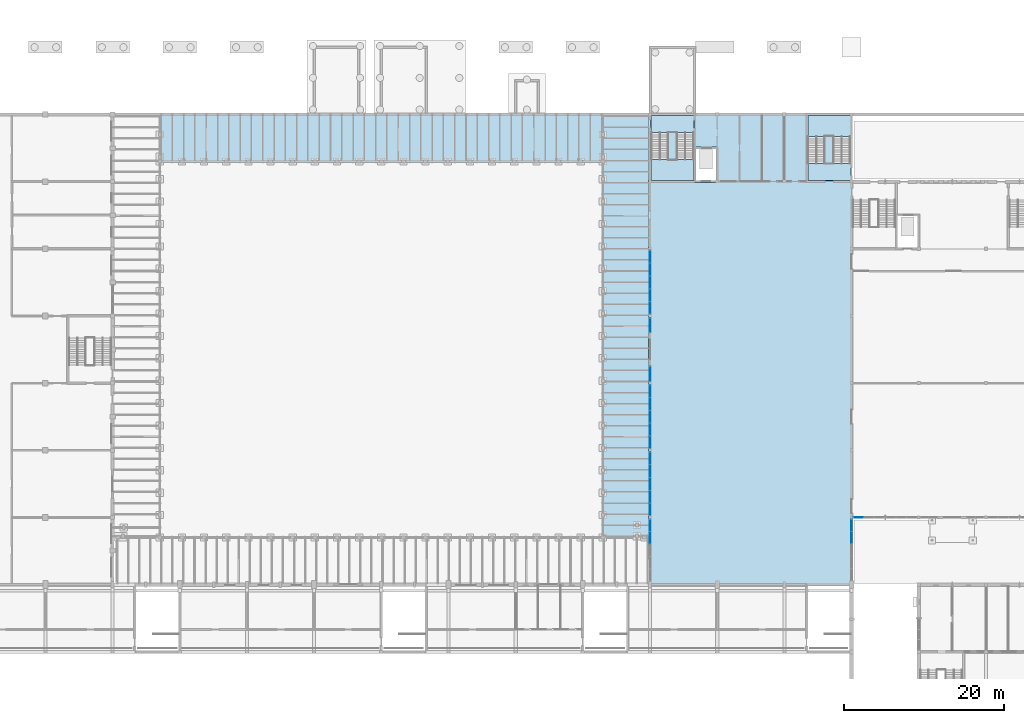
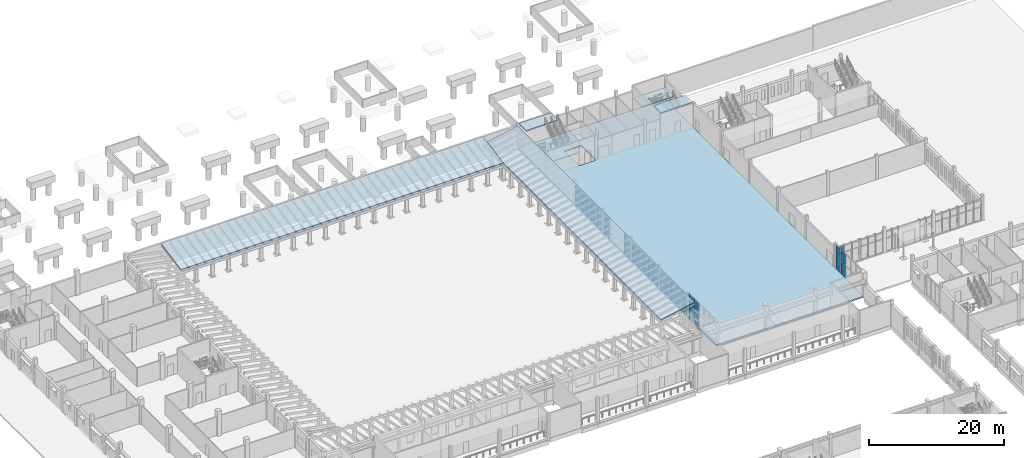
# One storey, part 29 of 60: 44 plates, 7 slabs, 10 elements without a shape of their own.
"""IFC4 building model written with IfcOpenShell, lengths in metres."""

from ifc_helpers import new_model, si_unit, direction, frame, origin, origin_2d, place, context, subcontext, project, spatial, polyline, rectangle, outline, extrude, material, layer, layer_set, type_object, element, aggregate, save


model = new_model("IFC4")

# Units and contexts
model_context = context("Model", 3, precision=1e-05, world=origin(), true_north=direction((0.0, 1.0)))
body_context = subcontext(model_context, "Body", "Model", "MODEL_VIEW")
ifc_project = project(units=[si_unit("LENGTHUNIT", "METRE"), si_unit("AREAUNIT", "SQUARE_METRE"), si_unit("VOLUMEUNIT", "CUBIC_METRE"), si_unit("PLANEANGLEUNIT", "RADIAN"), si_unit("MASSUNIT", "GRAM", prefix="KILO")], contexts=[model_context])

# Site, building, storey
site_placement = place(None, origin())
site = spatial("IfcSite", under=ifc_project, at=site_placement, CompositionType="ELEMENT")
building_placement = place(site_placement, origin())
building = spatial("IfcBuilding", under=site, at=building_placement, Name="Fescue Hill Polytechnic", CompositionType="ELEMENT")
storey_placement = place(building_placement, frame((0.0, 0.0, 4.5)))
storey = spatial("IfcBuildingStorey", under=building, at=storey_placement, Name="L01", CompositionType="ELEMENT", Elevation=4.5)

# Slab
ifc_material_1 = material(Name="Concrete 35 MPa", Category="concrete")
ifc_layer_1 = layer(ifc_material_1, 0.25)
ifc_layer_set_1 = layer_set([ifc_layer_1], Name="Concrete 35 MPa")
slab_type_1 = type_object("IfcSlabType", Name="Base slab 250", PredefinedType="BASESLAB", material=ifc_layer_set_1)
slab_1_placement = place(storey_placement, frame((0.0, 0.0, -0.25)))
element("IfcSlab", 1, at=slab_1_placement, inside=storey, type_object=slab_type_1, Name="SL-L01-V6-1", PredefinedType="BASESLAB", context=body_context, shape_type="SweptSolid", body=[
    extrude(outline(polyline([(92.39990234375, 50.39990234375), (92.39990234375, 109.199951171875), (117.60009765625, 109.199951171875), (117.60009765625, 50.39990234375), (92.39990234375, 50.39990234375)]), holes=[polyline([(100.89990234375, 105.10009765625), (97.89990234375, 105.10009765625), (97.89990234375, 100.699951171875), (100.89990234375, 100.699951171875), (100.89990234375, 105.10009765625)])]), origin(), (0.0, 0.0, 1.0), 0.25),
])

# Curtain wall, plates
ifc_material_2 = material(Name="Glass", Category="glass")
curtain_wall_type = type_object("IfcCurtainWallType", Name="Curtain wall structural glazing", PredefinedType="NOTDEFINED", material=ifc_material_2)
curtain_wall_1_placement = place(storey_placement, origin())
curtain_wall_1 = element("IfcCurtainWall", 2, at=curtain_wall_1_placement, inside=storey, type_object=curtain_wall_type, Name="CW-L01-V2-1", PredefinedType="NOTDEFINED")
ifc_layer_2 = layer(ifc_material_2, 0.028076171875)
ifc_layer_set_2 = layer_set([ifc_layer_2], Name="Glass")
plate_type = type_object("IfcPlateType", Name="Panel glazing 28", PredefinedType="CURTAIN_PANEL", material=ifc_layer_set_2)
plate_1_placement = place(storey_placement, frame((118.4716796875, 58.800048828125, 0.06005859375), z_axis=(0.0, 0.0, 1.0), x_axis=(1.0, 0.0, 0.0)))
plate_1 = element("IfcPlate", 3, at=plate_1_placement, type_object=plate_type, Name="CW41 panel 1.1", PredefinedType="CURTAIN_PANEL", context=body_context, shape_type="SweptSolid", body=[
    extrude(rectangle(XDim=1.223388671875, YDim=0.028076171875, at=origin_2d()), origin(), (0.0, 0.0, 1.0), 2.31005859375),
])
plate_2_placement = place(storey_placement, frame((118.4716796875, 58.800048828125, 2.43017578125), z_axis=(0.0, 0.0, 1.0), x_axis=(1.0, 0.0, 0.0)))
plate_2 = element("IfcPlate", 4, at=plate_2_placement, type_object=plate_type, Name="CW41 panel 1.2", PredefinedType="CURTAIN_PANEL", context=body_context, shape_type="SweptSolid", body=[
    extrude(rectangle(XDim=1.223388671875, YDim=0.028076171875, at=origin_2d()), origin(), (0.0, 0.0, 1.0), 1.139892578125),
])
aggregate(curtain_wall_1, [plate_1, plate_2])

curtain_wall_2_placement = place(storey_placement, origin())
curtain_wall_2 = element("IfcCurtainWall", 5, at=curtain_wall_2_placement, inside=storey, type_object=curtain_wall_type, Name="CW-L01-V6-1", PredefinedType="NOTDEFINED")
plate_3_placement = place(storey_placement, frame((117.60009765625, 56.2900390625, 0.06005859375), z_axis=(0.0, 0.0, 1.0), x_axis=(0.0, 1.0, 0.0)))
plate_3 = element("IfcPlate", 6, at=plate_3_placement, type_object=plate_type, Name="CW47 panel 4.1", PredefinedType="CURTAIN_PANEL", context=body_context, shape_type="SweptSolid", body=[
    extrude(rectangle(XDim=1.47998046875, YDim=0.028076171875, at=origin_2d()), origin(), (0.0, 0.0, 1.0), 2.31005859375),
])
plate_4_placement = place(storey_placement, frame((117.60009765625, 56.2900390625, 2.43017578125), z_axis=(0.0, 0.0, 1.0), x_axis=(0.0, 1.0, 0.0)))
plate_4 = element("IfcPlate", 7, at=plate_4_placement, type_object=plate_type, Name="CW47 panel 4.2", PredefinedType="CURTAIN_PANEL", context=body_context, shape_type="SweptSolid", body=[
    extrude(rectangle(XDim=1.47998046875, YDim=0.028076171875, at=origin_2d()), origin(), (0.0, 0.0, 1.0), 1.989990234375),
])
plate_5_placement = place(storey_placement, frame((117.60009765625, 57.81494140625, 0.06005859375), z_axis=(0.0, 0.0, 1.0), x_axis=(0.0, 1.0, 0.0)))
plate_5 = element("IfcPlate", 8, at=plate_5_placement, type_object=plate_type, Name="CW47 panel 5.1", PredefinedType="CURTAIN_PANEL", context=body_context, shape_type="SweptSolid", body=[
    extrude(rectangle(XDim=1.449951171875, YDim=0.028076171875, at=origin_2d()), origin(), (0.0, 0.0, 1.0), 2.31005859375),
])
plate_6_placement = place(storey_placement, frame((117.60009765625, 57.81494140625, 2.43017578125), z_axis=(0.0, 0.0, 1.0), x_axis=(0.0, 1.0, 0.0)))
plate_6 = element("IfcPlate", 9, at=plate_6_placement, type_object=plate_type, Name="CW47 panel 5.2", PredefinedType="CURTAIN_PANEL", context=body_context, shape_type="SweptSolid", body=[
    extrude(rectangle(XDim=1.449951171875, YDim=0.028076171875, at=origin_2d()), origin(), (0.0, 0.0, 1.0), 1.989990234375),
])
aggregate(curtain_wall_2, [plate_3, plate_4, plate_5, plate_6])

curtain_wall_3_placement = place(storey_placement, origin())
curtain_wall_3 = element("IfcCurtainWall", 10, at=curtain_wall_3_placement, inside=storey, type_object=curtain_wall_type, Name="CW-L01-V6-2", PredefinedType="NOTDEFINED")
plate_7_placement = place(storey_placement, frame((92.39990234375, 91.385009765625, 0.06005859375), z_axis=(0.0, 0.0, 1.0), x_axis=(0.0, -1.0, 0.0)))
plate_7 = element("IfcPlate", 11, at=plate_7_placement, type_object=plate_type, Name="CW48 panel 1.1", PredefinedType="CURTAIN_PANEL", context=body_context, shape_type="SweptSolid", body=[
    extrude(rectangle(XDim=1.510009765625, YDim=0.028076171875, at=origin_2d()), origin(), (0.0, 0.0, 1.0), 2.31005859375),
])
plate_8_placement = place(storey_placement, frame((92.39990234375, 91.385009765625, 2.43017578125), z_axis=(0.0, 0.0, 1.0), x_axis=(0.0, -1.0, 0.0)))
plate_8 = element("IfcPlate", 12, at=plate_8_placement, type_object=plate_type, Name="CW48 panel 1.2", PredefinedType="CURTAIN_PANEL", context=body_context, shape_type="SweptSolid", body=[
    extrude(rectangle(XDim=1.510009765625, YDim=0.028076171875, at=origin_2d()), origin(), (0.0, 0.0, 1.0), 1.239990234375),
])
plate_9_placement = place(storey_placement, frame((92.39990234375, 89.800048828125, 0.06005859375), z_axis=(0.0, 0.0, 1.0), x_axis=(0.0, -1.0, 0.0)))
plate_9 = element("IfcPlate", 13, at=plate_9_placement, type_object=plate_type, Name="CW48 panel 2.1", PredefinedType="CURTAIN_PANEL", context=body_context, shape_type="SweptSolid", body=[
    extrude(rectangle(XDim=1.5400390625, YDim=0.028076171875, at=origin_2d()), origin(), (0.0, 0.0, 1.0), 2.31005859375),
])
plate_10_placement = place(storey_placement, frame((92.39990234375, 89.800048828125, 2.43017578125), z_axis=(0.0, 0.0, 1.0), x_axis=(0.0, -1.0, 0.0)))
plate_10 = element("IfcPlate", 14, at=plate_10_placement, type_object=plate_type, Name="CW48 panel 2.2", PredefinedType="CURTAIN_PANEL", context=body_context, shape_type="SweptSolid", body=[
    extrude(rectangle(XDim=1.5400390625, YDim=0.028076171875, at=origin_2d()), origin(), (0.0, 0.0, 1.0), 1.239990234375),
])
plate_11_placement = place(storey_placement, frame((92.39990234375, 88.199951171875, 0.06005859375), z_axis=(0.0, 0.0, 1.0), x_axis=(0.0, -1.0, 0.0)))
plate_11 = element("IfcPlate", 15, at=plate_11_placement, type_object=plate_type, Name="CW48 panel 3.1", PredefinedType="CURTAIN_PANEL", context=body_context, shape_type="SweptSolid", body=[
    extrude(rectangle(XDim=1.5400390625, YDim=0.028076171875, at=origin_2d()), origin(), (0.0, 0.0, 1.0), 2.31005859375),
])
plate_12_placement = place(storey_placement, frame((92.39990234375, 88.199951171875, 2.43017578125), z_axis=(0.0, 0.0, 1.0), x_axis=(0.0, -1.0, 0.0)))
plate_12 = element("IfcPlate", 16, at=plate_12_placement, type_object=plate_type, Name="CW48 panel 3.2", PredefinedType="CURTAIN_PANEL", context=body_context, shape_type="SweptSolid", body=[
    extrude(rectangle(XDim=1.5400390625, YDim=0.028076171875, at=origin_2d()), origin(), (0.0, 0.0, 1.0), 1.239990234375),
])
plate_13_placement = place(storey_placement, frame((92.39990234375, 86.60009765625, 0.06005859375), z_axis=(0.0, 0.0, 1.0), x_axis=(0.0, -1.0, 0.0)))
plate_13 = element("IfcPlate", 17, at=plate_13_placement, type_object=plate_type, Name="CW48 panel 4.1", PredefinedType="CURTAIN_PANEL", context=body_context, shape_type="SweptSolid", body=[
    extrude(rectangle(XDim=1.5400390625, YDim=0.028076171875, at=origin_2d()), origin(), (0.0, 0.0, 1.0), 2.31005859375),
])
plate_14_placement = place(storey_placement, frame((92.39990234375, 86.60009765625, 2.43017578125), z_axis=(0.0, 0.0, 1.0), x_axis=(0.0, -1.0, 0.0)))
plate_14 = element("IfcPlate", 18, at=plate_14_placement, type_object=plate_type, Name="CW48 panel 4.2", PredefinedType="CURTAIN_PANEL", context=body_context, shape_type="SweptSolid", body=[
    extrude(rectangle(XDim=1.5400390625, YDim=0.028076171875, at=origin_2d()), origin(), (0.0, 0.0, 1.0), 1.239990234375),
])
plate_15_placement = place(storey_placement, frame((92.39990234375, 85.014892578125, 0.06005859375), z_axis=(0.0, 0.0, 1.0), x_axis=(0.0, -1.0, 0.0)))
plate_15 = element("IfcPlate", 19, at=plate_15_placement, type_object=plate_type, Name="CW48 panel 5.1", PredefinedType="CURTAIN_PANEL", context=body_context, shape_type="SweptSolid", body=[
    extrude(rectangle(XDim=1.510009765625, YDim=0.028076171875, at=origin_2d()), origin(), (0.0, 0.0, 1.0), 2.31005859375),
])
plate_16_placement = place(storey_placement, frame((92.39990234375, 85.014892578125, 2.43017578125), z_axis=(0.0, 0.0, 1.0), x_axis=(0.0, -1.0, 0.0)))
plate_16 = element("IfcPlate", 20, at=plate_16_placement, type_object=plate_type, Name="CW48 panel 5.2", PredefinedType="CURTAIN_PANEL", context=body_context, shape_type="SweptSolid", body=[
    extrude(rectangle(XDim=1.510009765625, YDim=0.028076171875, at=origin_2d()), origin(), (0.0, 0.0, 1.0), 1.239990234375),
])
aggregate(curtain_wall_3, [plate_7, plate_8, plate_9, plate_10, plate_11, plate_12, plate_13, plate_14, plate_15, plate_16])

curtain_wall_4_placement = place(storey_placement, origin())
curtain_wall_4 = element("IfcCurtainWall", 21, at=curtain_wall_4_placement, inside=storey, type_object=curtain_wall_type, Name="CW-L01-V6-3", PredefinedType="NOTDEFINED")
plate_17_placement = place(storey_placement, frame((92.39990234375, 82.85009765625, 0.06005859375), z_axis=(0.0, 0.0, 1.0), x_axis=(0.0, -1.0, 0.0)))
plate_17 = element("IfcPlate", 22, at=plate_17_placement, type_object=plate_type, Name="CW49 panel 1.1", PredefinedType="CURTAIN_PANEL", context=body_context, shape_type="SweptSolid", body=[
    extrude(rectangle(XDim=1.780029296875, YDim=0.028076171875, at=origin_2d()), origin(), (0.0, 0.0, 1.0), 2.31005859375),
])
plate_18_placement = place(storey_placement, frame((92.39990234375, 82.85009765625, 2.43017578125), z_axis=(0.0, 0.0, 1.0), x_axis=(0.0, -1.0, 0.0)))
plate_18 = element("IfcPlate", 23, at=plate_18_placement, type_object=plate_type, Name="CW49 panel 1.2", PredefinedType="CURTAIN_PANEL", context=body_context, shape_type="SweptSolid", body=[
    extrude(rectangle(XDim=1.780029296875, YDim=0.028076171875, at=origin_2d()), origin(), (0.0, 0.0, 1.0), 1.239990234375),
])
aggregate(curtain_wall_4, [plate_17, plate_18])

curtain_wall_5_placement = place(storey_placement, origin())
curtain_wall_5 = element("IfcCurtainWall", 24, at=curtain_wall_5_placement, inside=storey, type_object=curtain_wall_type, Name="CW-L01-V6-4", PredefinedType="NOTDEFINED")
plate_19_placement = place(storey_placement, frame((92.39990234375, 76.75, 0.06005859375), z_axis=(0.0, 0.0, 1.0), x_axis=(0.0, -1.0, 0.0)))
plate_19 = element("IfcPlate", 25, at=plate_19_placement, type_object=plate_type, Name="CW50 panel 1.1", PredefinedType="CURTAIN_PANEL", context=body_context, shape_type="SweptSolid", body=[
    extrude(rectangle(XDim=1.780029296875, YDim=0.028076171875, at=origin_2d()), origin(), (0.0, 0.0, 1.0), 2.31005859375),
])
plate_20_placement = place(storey_placement, frame((92.39990234375, 76.75, 2.43017578125), z_axis=(0.0, 0.0, 1.0), x_axis=(0.0, -1.0, 0.0)))
plate_20 = element("IfcPlate", 26, at=plate_20_placement, type_object=plate_type, Name="CW50 panel 1.2", PredefinedType="CURTAIN_PANEL", context=body_context, shape_type="SweptSolid", body=[
    extrude(rectangle(XDim=1.780029296875, YDim=0.028076171875, at=origin_2d()), origin(), (0.0, 0.0, 1.0), 1.239990234375),
])
aggregate(curtain_wall_5, [plate_19, plate_20])

curtain_wall_6_placement = place(storey_placement, origin())
curtain_wall_6 = element("IfcCurtainWall", 27, at=curtain_wall_6_placement, inside=storey, type_object=curtain_wall_type, Name="CW-L01-V6-5", PredefinedType="NOTDEFINED")
plate_21_placement = place(storey_placement, frame((92.39990234375, 74.5849609375, 0.06005859375), z_axis=(0.0, 0.0, 1.0), x_axis=(0.0, -1.0, 0.0)))
plate_21 = element("IfcPlate", 28, at=plate_21_placement, type_object=plate_type, Name="CW51 panel 1.1", PredefinedType="CURTAIN_PANEL", context=body_context, shape_type="SweptSolid", body=[
    extrude(rectangle(XDim=1.510009765625, YDim=0.028076171875, at=origin_2d()), origin(), (0.0, 0.0, 1.0), 2.31005859375),
])
plate_22_placement = place(storey_placement, frame((92.39990234375, 74.5849609375, 2.43017578125), z_axis=(0.0, 0.0, 1.0), x_axis=(0.0, -1.0, 0.0)))
plate_22 = element("IfcPlate", 29, at=plate_22_placement, type_object=plate_type, Name="CW51 panel 1.2", PredefinedType="CURTAIN_PANEL", context=body_context, shape_type="SweptSolid", body=[
    extrude(rectangle(XDim=1.510009765625, YDim=0.028076171875, at=origin_2d()), origin(), (0.0, 0.0, 1.0), 1.239990234375),
])
plate_23_placement = place(storey_placement, frame((92.39990234375, 73.0, 0.06005859375), z_axis=(0.0, 0.0, 1.0), x_axis=(0.0, -1.0, 0.0)))
plate_23 = element("IfcPlate", 30, at=plate_23_placement, type_object=plate_type, Name="CW51 panel 2.1", PredefinedType="CURTAIN_PANEL", context=body_context, shape_type="SweptSolid", body=[
    extrude(rectangle(XDim=1.5400390625, YDim=0.028076171875, at=origin_2d()), origin(), (0.0, 0.0, 1.0), 2.31005859375),
])
plate_24_placement = place(storey_placement, frame((92.39990234375, 73.0, 2.43017578125), z_axis=(0.0, 0.0, 1.0), x_axis=(0.0, -1.0, 0.0)))
plate_24 = element("IfcPlate", 31, at=plate_24_placement, type_object=plate_type, Name="CW51 panel 2.2", PredefinedType="CURTAIN_PANEL", context=body_context, shape_type="SweptSolid", body=[
    extrude(rectangle(XDim=1.5400390625, YDim=0.028076171875, at=origin_2d()), origin(), (0.0, 0.0, 1.0), 1.239990234375),
])
plate_25_placement = place(storey_placement, frame((92.39990234375, 71.39990234375, 0.06005859375), z_axis=(0.0, 0.0, 1.0), x_axis=(0.0, -1.0, 0.0)))
plate_25 = element("IfcPlate", 32, at=plate_25_placement, type_object=plate_type, Name="CW51 panel 3.1", PredefinedType="CURTAIN_PANEL", context=body_context, shape_type="SweptSolid", body=[
    extrude(rectangle(XDim=1.5400390625, YDim=0.028076171875, at=origin_2d()), origin(), (0.0, 0.0, 1.0), 2.31005859375),
])
plate_26_placement = place(storey_placement, frame((92.39990234375, 71.39990234375, 2.43017578125), z_axis=(0.0, 0.0, 1.0), x_axis=(0.0, -1.0, 0.0)))
plate_26 = element("IfcPlate", 33, at=plate_26_placement, type_object=plate_type, Name="CW51 panel 3.2", PredefinedType="CURTAIN_PANEL", context=body_context, shape_type="SweptSolid", body=[
    extrude(rectangle(XDim=1.5400390625, YDim=0.028076171875, at=origin_2d()), origin(), (0.0, 0.0, 1.0), 1.239990234375),
])
plate_27_placement = place(storey_placement, frame((92.39990234375, 69.800048828125, 0.06005859375), z_axis=(0.0, 0.0, 1.0), x_axis=(0.0, -1.0, 0.0)))
plate_27 = element("IfcPlate", 34, at=plate_27_placement, type_object=plate_type, Name="CW51 panel 4.1", PredefinedType="CURTAIN_PANEL", context=body_context, shape_type="SweptSolid", body=[
    extrude(rectangle(XDim=1.5400390625, YDim=0.028076171875, at=origin_2d()), origin(), (0.0, 0.0, 1.0), 2.31005859375),
])
plate_28_placement = place(storey_placement, frame((92.39990234375, 69.800048828125, 2.43017578125), z_axis=(0.0, 0.0, 1.0), x_axis=(0.0, -1.0, 0.0)))
plate_28 = element("IfcPlate", 35, at=plate_28_placement, type_object=plate_type, Name="CW51 panel 4.2", PredefinedType="CURTAIN_PANEL", context=body_context, shape_type="SweptSolid", body=[
    extrude(rectangle(XDim=1.5400390625, YDim=0.028076171875, at=origin_2d()), origin(), (0.0, 0.0, 1.0), 1.239990234375),
])
plate_29_placement = place(storey_placement, frame((92.39990234375, 68.215087890625, 0.06005859375), z_axis=(0.0, 0.0, 1.0), x_axis=(0.0, -1.0, 0.0)))
plate_29 = element("IfcPlate", 36, at=plate_29_placement, type_object=plate_type, Name="CW51 panel 5.1", PredefinedType="CURTAIN_PANEL", context=body_context, shape_type="SweptSolid", body=[
    extrude(rectangle(XDim=1.510009765625, YDim=0.028076171875, at=origin_2d()), origin(), (0.0, 0.0, 1.0), 2.31005859375),
])
plate_30_placement = place(storey_placement, frame((92.39990234375, 68.215087890625, 2.43017578125), z_axis=(0.0, 0.0, 1.0), x_axis=(0.0, -1.0, 0.0)))
plate_30 = element("IfcPlate", 37, at=plate_30_placement, type_object=plate_type, Name="CW51 panel 5.2", PredefinedType="CURTAIN_PANEL", context=body_context, shape_type="SweptSolid", body=[
    extrude(rectangle(XDim=1.510009765625, YDim=0.028076171875, at=origin_2d()), origin(), (0.0, 0.0, 1.0), 1.239990234375),
])
aggregate(curtain_wall_6, [plate_21, plate_22, plate_23, plate_24, plate_25, plate_26, plate_27, plate_28, plate_29, plate_30])

curtain_wall_7_placement = place(storey_placement, origin())
curtain_wall_7 = element("IfcCurtainWall", 38, at=curtain_wall_7_placement, inside=storey, type_object=curtain_wall_type, Name="CW-L01-V6-6", PredefinedType="NOTDEFINED")
plate_31_placement = place(storey_placement, frame((92.39990234375, 66.18505859375, 0.06005859375), z_axis=(0.0, 0.0, 1.0), x_axis=(0.0, -1.0, 0.0)))
plate_31 = element("IfcPlate", 39, at=plate_31_placement, type_object=plate_type, Name="CW52 panel 1.1", PredefinedType="CURTAIN_PANEL", context=body_context, shape_type="SweptSolid", body=[
    extrude(rectangle(XDim=1.510009765625, YDim=0.028076171875, at=origin_2d()), origin(), (0.0, 0.0, 1.0), 2.31005859375),
])
plate_32_placement = place(storey_placement, frame((92.39990234375, 66.18505859375, 2.43017578125), z_axis=(0.0, 0.0, 1.0), x_axis=(0.0, -1.0, 0.0)))
plate_32 = element("IfcPlate", 40, at=plate_32_placement, type_object=plate_type, Name="CW52 panel 1.2", PredefinedType="CURTAIN_PANEL", context=body_context, shape_type="SweptSolid", body=[
    extrude(rectangle(XDim=1.510009765625, YDim=0.028076171875, at=origin_2d()), origin(), (0.0, 0.0, 1.0), 1.239990234375),
])
plate_33_placement = place(storey_placement, frame((92.39990234375, 64.60009765625, 0.06005859375), z_axis=(0.0, 0.0, 1.0), x_axis=(0.0, -1.0, 0.0)))
plate_33 = element("IfcPlate", 41, at=plate_33_placement, type_object=plate_type, Name="CW52 panel 2.1", PredefinedType="CURTAIN_PANEL", context=body_context, shape_type="SweptSolid", body=[
    extrude(rectangle(XDim=1.5400390625, YDim=0.028076171875, at=origin_2d()), origin(), (0.0, 0.0, 1.0), 2.31005859375),
])
plate_34_placement = place(storey_placement, frame((92.39990234375, 64.60009765625, 2.43017578125), z_axis=(0.0, 0.0, 1.0), x_axis=(0.0, -1.0, 0.0)))
plate_34 = element("IfcPlate", 42, at=plate_34_placement, type_object=plate_type, Name="CW52 panel 2.2", PredefinedType="CURTAIN_PANEL", context=body_context, shape_type="SweptSolid", body=[
    extrude(rectangle(XDim=1.5400390625, YDim=0.028076171875, at=origin_2d()), origin(), (0.0, 0.0, 1.0), 1.239990234375),
])
plate_35_placement = place(storey_placement, frame((92.39990234375, 63.0, 0.06005859375), z_axis=(0.0, 0.0, 1.0), x_axis=(0.0, -1.0, 0.0)))
plate_35 = element("IfcPlate", 43, at=plate_35_placement, type_object=plate_type, Name="CW52 panel 3.1", PredefinedType="CURTAIN_PANEL", context=body_context, shape_type="SweptSolid", body=[
    extrude(rectangle(XDim=1.5400390625, YDim=0.028076171875, at=origin_2d()), origin(), (0.0, 0.0, 1.0), 2.31005859375),
])
plate_36_placement = place(storey_placement, frame((92.39990234375, 63.0, 2.43017578125), z_axis=(0.0, 0.0, 1.0), x_axis=(0.0, -1.0, 0.0)))
plate_36 = element("IfcPlate", 44, at=plate_36_placement, type_object=plate_type, Name="CW52 panel 3.2", PredefinedType="CURTAIN_PANEL", context=body_context, shape_type="SweptSolid", body=[
    extrude(rectangle(XDim=1.5400390625, YDim=0.028076171875, at=origin_2d()), origin(), (0.0, 0.0, 1.0), 1.239990234375),
])
plate_37_placement = place(storey_placement, frame((92.39990234375, 61.39990234375, 0.06005859375), z_axis=(0.0, 0.0, 1.0), x_axis=(0.0, -1.0, 0.0)))
plate_37 = element("IfcPlate", 45, at=plate_37_placement, type_object=plate_type, Name="CW52 panel 4.1", PredefinedType="CURTAIN_PANEL", context=body_context, shape_type="SweptSolid", body=[
    extrude(rectangle(XDim=1.5400390625, YDim=0.028076171875, at=origin_2d()), origin(), (0.0, 0.0, 1.0), 2.31005859375),
])
plate_38_placement = place(storey_placement, frame((92.39990234375, 61.39990234375, 2.43017578125), z_axis=(0.0, 0.0, 1.0), x_axis=(0.0, -1.0, 0.0)))
plate_38 = element("IfcPlate", 46, at=plate_38_placement, type_object=plate_type, Name="CW52 panel 4.2", PredefinedType="CURTAIN_PANEL", context=body_context, shape_type="SweptSolid", body=[
    extrude(rectangle(XDim=1.5400390625, YDim=0.028076171875, at=origin_2d()), origin(), (0.0, 0.0, 1.0), 1.239990234375),
])
plate_39_placement = place(storey_placement, frame((92.39990234375, 59.81494140625, 0.06005859375), z_axis=(0.0, 0.0, 1.0), x_axis=(0.0, -1.0, 0.0)))
plate_39 = element("IfcPlate", 47, at=plate_39_placement, type_object=plate_type, Name="CW52 panel 5.1", PredefinedType="CURTAIN_PANEL", context=body_context, shape_type="SweptSolid", body=[
    extrude(rectangle(XDim=1.510009765625, YDim=0.028076171875, at=origin_2d()), origin(), (0.0, 0.0, 1.0), 2.31005859375),
])
plate_40_placement = place(storey_placement, frame((92.39990234375, 59.81494140625, 2.43017578125), z_axis=(0.0, 0.0, 1.0), x_axis=(0.0, -1.0, 0.0)))
plate_40 = element("IfcPlate", 48, at=plate_40_placement, type_object=plate_type, Name="CW52 panel 5.2", PredefinedType="CURTAIN_PANEL", context=body_context, shape_type="SweptSolid", body=[
    extrude(rectangle(XDim=1.510009765625, YDim=0.028076171875, at=origin_2d()), origin(), (0.0, 0.0, 1.0), 1.239990234375),
])
aggregate(curtain_wall_7, [plate_31, plate_32, plate_33, plate_34, plate_35, plate_36, plate_37, plate_38, plate_39, plate_40])

curtain_wall_8_placement = place(storey_placement, origin())
curtain_wall_8 = element("IfcCurtainWall", 49, at=curtain_wall_8_placement, inside=storey, type_object=curtain_wall_type, Name="CW-L01-V6-7", PredefinedType="NOTDEFINED")
plate_41_placement = place(storey_placement, frame((92.39990234375, 57.804931640625, 0.06005859375), z_axis=(0.0, 0.0, 1.0), x_axis=(0.0, -1.0, 0.0)))
plate_41 = element("IfcPlate", 50, at=plate_41_placement, type_object=plate_type, Name="CW53 panel 1.1", PredefinedType="CURTAIN_PANEL", context=body_context, shape_type="SweptSolid", body=[
    extrude(rectangle(XDim=1.469970703125, YDim=0.028076171875, at=origin_2d()), origin(), (0.0, 0.0, 1.0), 2.31005859375),
])
plate_42_placement = place(storey_placement, frame((92.39990234375, 57.804931640625, 2.43017578125), z_axis=(0.0, 0.0, 1.0), x_axis=(0.0, -1.0, 0.0)))
plate_42 = element("IfcPlate", 51, at=plate_42_placement, type_object=plate_type, Name="CW53 panel 1.2", PredefinedType="CURTAIN_PANEL", context=body_context, shape_type="SweptSolid", body=[
    extrude(rectangle(XDim=1.469970703125, YDim=0.028076171875, at=origin_2d()), origin(), (0.0, 0.0, 1.0), 1.989990234375),
])
plate_43_placement = place(storey_placement, frame((92.39990234375, 56.260009765625, 0.06005859375), z_axis=(0.0, 0.0, 1.0), x_axis=(0.0, -1.0, 0.0)))
plate_43 = element("IfcPlate", 52, at=plate_43_placement, type_object=plate_type, Name="CW53 panel 2.1", PredefinedType="CURTAIN_PANEL", context=body_context, shape_type="SweptSolid", body=[
    extrude(rectangle(XDim=1.5, YDim=0.028076171875, at=origin_2d()), origin(), (0.0, 0.0, 1.0), 2.31005859375),
])
plate_44_placement = place(storey_placement, frame((92.39990234375, 56.260009765625, 2.43017578125), z_axis=(0.0, 0.0, 1.0), x_axis=(0.0, -1.0, 0.0)))
plate_44 = element("IfcPlate", 53, at=plate_44_placement, type_object=plate_type, Name="CW53 panel 2.2", PredefinedType="CURTAIN_PANEL", context=body_context, shape_type="SweptSolid", body=[
    extrude(rectangle(XDim=1.5, YDim=0.028076171875, at=origin_2d()), origin(), (0.0, 0.0, 1.0), 1.989990234375),
])
aggregate(curtain_wall_8, [plate_41, plate_42, plate_43, plate_44])

# Stair, slabs
stair_type = type_object("IfcStairType", Name="Half-turn stair 2150 flights", PredefinedType="HALF_TURN_STAIR", material=ifc_material_1)
stair_1_placement = place(storey_placement, origin())
stair_1 = element("IfcStair", 54, at=stair_1_placement, inside=storey, type_object=stair_type, Name="L01 ST-V6-1 stair", PredefinedType="HALF_TURN_STAIR")
ifc_layer_3 = layer(ifc_material_1, 0.199951171875)
ifc_layer_set_3 = layer_set([ifc_layer_3], Name="Concrete 35 MPa")
slab_type_2 = type_object("IfcSlabType", Name="Stair landing slab 200", PredefinedType="LANDING", material=ifc_layer_set_3)
slab_2_placement = place(storey_placement, frame((0.0, 0.0, 2.050048828125)))
slab_2 = element("IfcSlab", 55, at=slab_2_placement, type_object=slab_type_2, Name="S26 landing 1", PredefinedType="LANDING", context=body_context, shape_type="SweptSolid", body=[
    extrude(outline(polyline([(92.5, 100.925048828125), (97.89990234375, 100.925048828125), (97.89990234375, 103.56494140625), (92.5, 103.56494140625), (92.5, 100.925048828125)])), origin(), (0.0, 0.0, 1.0), 0.199951171875),
])
slab_3_placement = place(storey_placement, frame((0.0, 0.0, 4.300048828125)))
slab_3 = element("IfcSlab", 56, at=slab_3_placement, type_object=slab_type_2, Name="S26 landing 2", PredefinedType="LANDING", context=body_context, shape_type="SweptSolid", body=[
    extrude(outline(polyline([(92.5, 106.925048828125), (97.875, 106.925048828125), (97.875, 109.074951171875), (92.5, 109.074951171875), (92.5, 106.925048828125)])), origin(), (0.0, 0.0, 1.0), 0.199951171875),
])
aggregate(stair_1, [slab_2, slab_3])

stair_2_placement = place(storey_placement, origin())
stair_2 = element("IfcStair", 57, at=stair_2_placement, inside=storey, type_object=stair_type, Name="L01 ST-V6-2 stair", PredefinedType="HALF_TURN_STAIR")
slab_4_placement = place(storey_placement, frame((0.0, 0.0, 2.050048828125)))
slab_4 = element("IfcSlab", 58, at=slab_4_placement, type_object=slab_type_2, Name="S27 landing 1", PredefinedType="LANDING", context=body_context, shape_type="SweptSolid", body=[
    extrude(outline(polyline([(112.125, 106.43505859375), (117.5, 106.43505859375), (117.5, 109.074951171875), (112.125, 109.074951171875), (112.125, 106.43505859375)])), origin(), (0.0, 0.0, 1.0), 0.199951171875),
])
slab_5_placement = place(storey_placement, frame((0.0, 0.0, 4.300048828125)))
slab_5 = element("IfcSlab", 59, at=slab_5_placement, type_object=slab_type_2, Name="S27 landing 2", PredefinedType="LANDING", context=body_context, shape_type="SweptSolid", body=[
    extrude(outline(polyline([(112.125, 100.925048828125), (117.5, 100.925048828125), (117.5, 103.074951171875), (112.125, 103.074951171875), (112.125, 100.925048828125)])), origin(), (0.0, 0.0, 1.0), 0.199951171875),
])
aggregate(stair_2, [slab_4, slab_5])

# Slabs
ifc_material_3 = material(Name="Timber deck with membrane roofing", Category="wood")
ifc_layer_4 = layer(ifc_material_3, 0.199951171875)
ifc_layer_set_4 = layer_set([ifc_layer_4], Name="Timber deck with membrane roofing")
slab_type_3 = type_object("IfcSlabType", Name="Veranda roof deck 200", PredefinedType="ROOF", material=ifc_layer_set_4)
slab_6_placement = place(storey_placement, frame((92.199951171875, 56.39990234375, 4.199951171875), z_axis=(-0.19447223103, 0.0, 0.980908023903), x_axis=(-0.980908023903, 0.0, -0.19447223103)))
element("IfcSlab", 60, at=slab_6_placement, inside=storey, type_object=slab_type_3, Name="Winter garden veranda roof", PredefinedType="ROOF", context=body_context, shape_type="SweptSolid", body=[
    extrude(outline(polyline([(0.0, 0.0), (5.912938508795431, 0.0), (5.912938508795431, -52.625), (0.0, -52.625), (0.0, 0.0)])), origin(), (0.0, 0.0, -1.0), 0.199951171875),
])
slab_7_placement = place(storey_placement, frame((31.199951171875, 109.199951171875, 4.199951171875), z_axis=(0.0, -0.188224825229, 0.982125967057), x_axis=(1.0, 0.0, 0.0)))
element("IfcSlab", 61, at=slab_7_placement, inside=storey, type_object=slab_type_3, Name="Court north veranda roof", PredefinedType="ROOF", context=body_context, shape_type="SweptSolid", body=[
    extrude(outline(polyline([(0.0, 0.0), (55.199951171875, 0.0), (55.199951171875, -6.1091959700243486), (0.0, -6.1091959700243486), (0.0, 0.0)])), origin(), (0.0, 0.0, -1.0), 0.199951171875),
])

save(model, "model.ifc")
